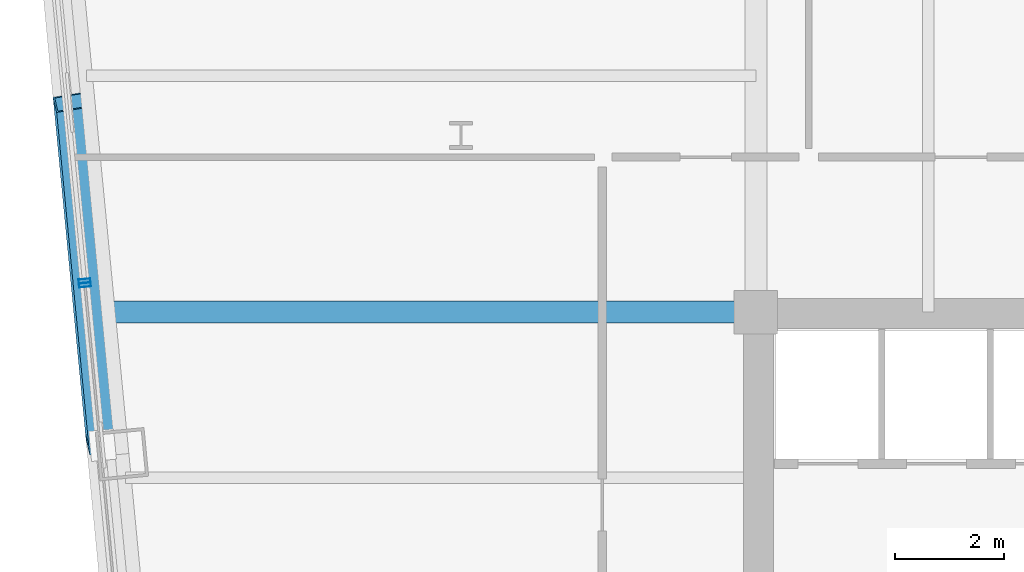
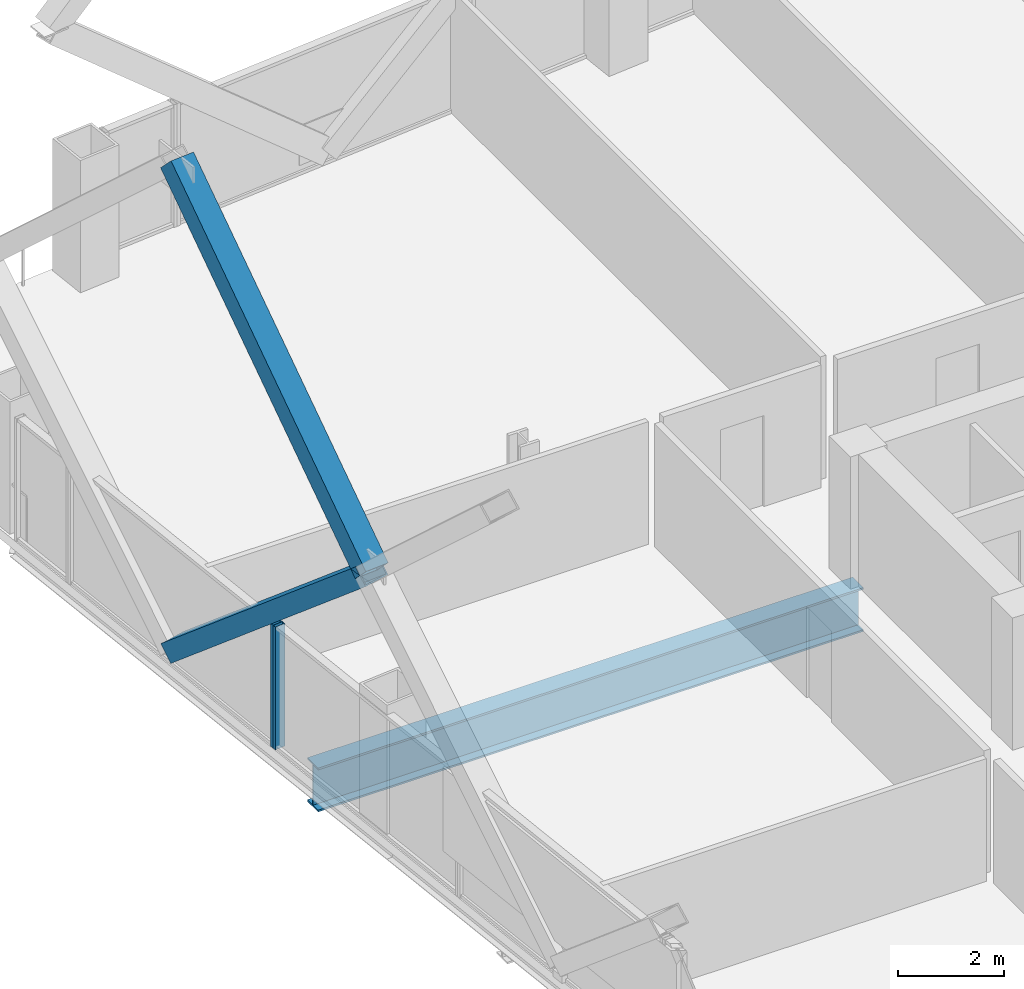
# One storey, part 17 of 32: 4 members, 1 beam, 2 elements without a shape of their own.
"""IFC4 building model written with IfcOpenShell, lengths in metres."""

from ifc_helpers import new_model, si_unit, direction, frame, origin, origin_2d, place, context, subcontext, project, spatial, hollow_rectangle, i_section, extrude, material, layer, layer_set, material_profile, profile_set, type_object, element, aggregate, save


model = new_model("IFC4")

# Units and contexts
model_context = context("Model", 3, precision=1e-05, world=origin(), true_north=direction((0.0, 1.0)))
body_context = subcontext(model_context, "Body", "Model", "MODEL_VIEW")
ifc_project = project(units=[si_unit("LENGTHUNIT", "METRE"), si_unit("AREAUNIT", "SQUARE_METRE"), si_unit("VOLUMEUNIT", "CUBIC_METRE"), si_unit("PLANEANGLEUNIT", "RADIAN"), si_unit("MASSUNIT", "GRAM", prefix="KILO")], contexts=[model_context])

# Site, building, storey
site_placement = place(None, origin())
site = spatial("IfcSite", under=ifc_project, at=site_placement, CompositionType="ELEMENT")
building_placement = place(site_placement, origin())
building = spatial("IfcBuilding", under=site, at=building_placement, Name="Qhalaya Broadcast Tower", CompositionType="ELEMENT")
storey_placement = place(building_placement, frame((0.0, 0.0, 81.64990234375)))
storey = spatial("IfcBuildingStorey", under=building, at=storey_placement, Name="L23", CompositionType="ELEMENT", Elevation=81.64990234375)

# Members
ifc_material_1 = material(Name="Structural Steel ASTM A572 Grade 50", Category="steel")
ifc_material_profile_1 = material_profile(ifc_material_1, hollow_rectangle(XDim=0.419921875, YDim=0.550048828125, WallThickness=0.028076171875, at=origin_2d()), Name="BOX 420x550x28")
ifc_profile_set_1 = profile_set([ifc_material_profile_1], Name="Structural Steel ASTM A572 Grade 50")
member_type_1 = type_object("IfcMemberType", Name="Exoskeleton Diamond Diagonal Mid-Low EX2", PredefinedType="BRACE", material=ifc_profile_set_1)
member_1_placement = place(storey_placement, frame((-22.00146484375, 13.805908203125, 0.360107421875), z_axis=(0.073037413912, -0.758637209183, 0.647406457345), x_axis=(-0.157160868222, 0.632274975342, 0.758636155912)))
element("IfcMember", 1, at=member_1_placement, inside=storey, type_object=member_type_1, Name="B2 Exoskeleton Diamond Brace W1-D2", PredefinedType="BRACE", context=body_context, shape_type="SweptSolid", body=[
    extrude(hollow_rectangle(XDim=0.419921875, YDim=0.550048828125, WallThickness=0.028076171875, at=origin_2d()), origin(), (0.0, 0.0, 1.0), 8.309814453125),
])
member_2_placement = place(storey_placement, frame((-21.39453125, 7.501708984375, 5.739990234375), z_axis=(-0.070340028415, 0.730619555004, 0.679151931638), x_axis=(0.160189075689, -0.663728866417, 0.730618540632)))
element("IfcMember", 2, at=member_2_placement, inside=storey, type_object=member_type_1, Name="B2 Exoskeleton Diamond Brace W1-D4", PredefinedType="BRACE", context=body_context, shape_type="SweptSolid", body=[
    extrude(hollow_rectangle(XDim=0.419921875, YDim=0.550048828125, WallThickness=0.028076171875, at=origin_2d()), origin(), (0.0, 0.0, 1.0), 8.628662109375),
])

# Beam
ifc_material_2 = material(Name="Structural Steel ASTM A992 Grade 50", Category="steel")
ifc_material_profile_2 = material_profile(ifc_material_2, i_section(OverallWidth=0.40087890625, OverallDepth=1.010986328125, WebThickness=0.023681640625, FlangeThickness=0.0419921875, at=origin_2d()), Name="W40X297")
ifc_profile_set_2 = profile_set([ifc_material_profile_2], Name="Structural Steel ASTM A992 Grade 50")
beam_type = type_object("IfcBeamType", Name="Lower Block Primary Girder PG2", PredefinedType="USERDEFINED", material=ifc_profile_set_2)
beam_placement = place(storey_placement, frame((-21.2685546875, 9.949951171875, -0.725341796875), z_axis=(1.0, 0.0, 0.0), x_axis=(0.0, 1.0, 0.0)))
element("IfcBeam", 3, at=beam_placement, inside=storey, type_object=beam_type, Name="L23 PG2 L23-PGYW4-1", ObjectType="GIRDER", PredefinedType="USERDEFINED", context=body_context, shape_type="SweptSolid", body=[
    extrude(i_section(OverallWidth=0.40087890625, OverallDepth=1.010986328125, WebThickness=0.023681640625, FlangeThickness=0.0419921875, at=origin_2d()), origin(), (0.0, 0.0, 1.0), 11.8935546875),
])

# Curtain wall, member
ifc_material_3 = material(Name="Fired Architectural Terracotta", Category="masonry")
ifc_layer_1 = layer(ifc_material_3, 0.219970703125, Name="Fired Architectural Terracotta")
ifc_layer_set_1 = layer_set([ifc_layer_1], Name="Fired Architectural Terracotta")
curtain_wall_type_1 = type_object("IfcCurtainWallType", Name="Block-Cap Unitised Terracotta Spandrel Wall CW-07", PredefinedType="NOTDEFINED", material=ifc_layer_set_1)
curtain_wall_1_placement = place(storey_placement, origin())
curtain_wall_1 = element("IfcCurtainWall", 4, at=curtain_wall_1_placement, inside=storey, type_object=curtain_wall_type_1, Name="L23 Unitised Curtain Wall L23-CW-W2", PredefinedType="NOTDEFINED")
ifc_material_4 = material(Name="Anodised Aluminium 6063-T6", Category="aluminium")
ifc_material_profile_3 = material_profile(ifc_material_4, hollow_rectangle(XDim=0.074951171875, YDim=0.219970703125, WallThickness=0.00390625, at=origin_2d()), Name="ALU-MUL 75x220x4")
ifc_profile_set_3 = profile_set([ifc_material_profile_3], Name="Anodised Aluminium 6063-T6")
member_type_2 = type_object("IfcMemberType", Name="Unitised Curtain-Wall Mullion M01", PredefinedType="MULLION", material=ifc_profile_set_3)
member_3_placement = place(storey_placement, frame((-21.7255859375, 10.52294921875, 0.0), z_axis=(0.0, 0.0, 1.0), x_axis=(0.095856535899, -0.995395159987, 0.0)))
member_3 = element("IfcMember", 5, at=member_3_placement, type_object=member_type_2, Name="CW-07 mullion 2", PredefinedType="MULLION", context=body_context, shape_type="SweptSolid", body=[
    extrude(hollow_rectangle(XDim=0.074951171875, YDim=0.219970703125, WallThickness=0.00390625, at=origin_2d()), origin(), (0.0, 0.0, 1.0), 2.830078125),
])
aggregate(curtain_wall_1, [member_3])

ifc_material_5 = material(Name="Solar-Control Low-E Triple Glazing", Category="glass")
ifc_layer_2 = layer(ifc_material_5, 0.219970703125, Name="Solar-Control Low-E Triple Glazing")
ifc_layer_set_2 = layer_set([ifc_layer_2], Name="Solar-Control Low-E Triple Glazing")
curtain_wall_type_2 = type_object("IfcCurtainWallType", Name="Even-Block 4-Storey Double-Module Curtain Wall CW-03", PredefinedType="NOTDEFINED", material=ifc_layer_set_2)
curtain_wall_2_placement = place(storey_placement, origin())
curtain_wall_2 = element("IfcCurtainWall", 6, at=curtain_wall_2_placement, inside=storey, type_object=curtain_wall_type_2, Name="L23 Unitised Curtain Wall L23-CW-W3", PredefinedType="NOTDEFINED")
member_4_placement = place(storey_placement, frame((-21.718505859375, 10.448486328125, 0.0), z_axis=(0.0, 0.0, 1.0), x_axis=(0.095837131698, -0.99539702842, 0.0)))
member_4 = element("IfcMember", 7, at=member_4_placement, type_object=member_type_2, Name="CW-03 mullion 1", PredefinedType="MULLION", context=body_context, shape_type="SweptSolid", body=[
    extrude(hollow_rectangle(XDim=0.074951171875, YDim=0.219970703125, WallThickness=0.00390625, at=origin_2d()), origin(), (0.0, 0.0, 1.0), 2.830078125),
])
aggregate(curtain_wall_2, [member_4])

save(model, "model.ifc")
